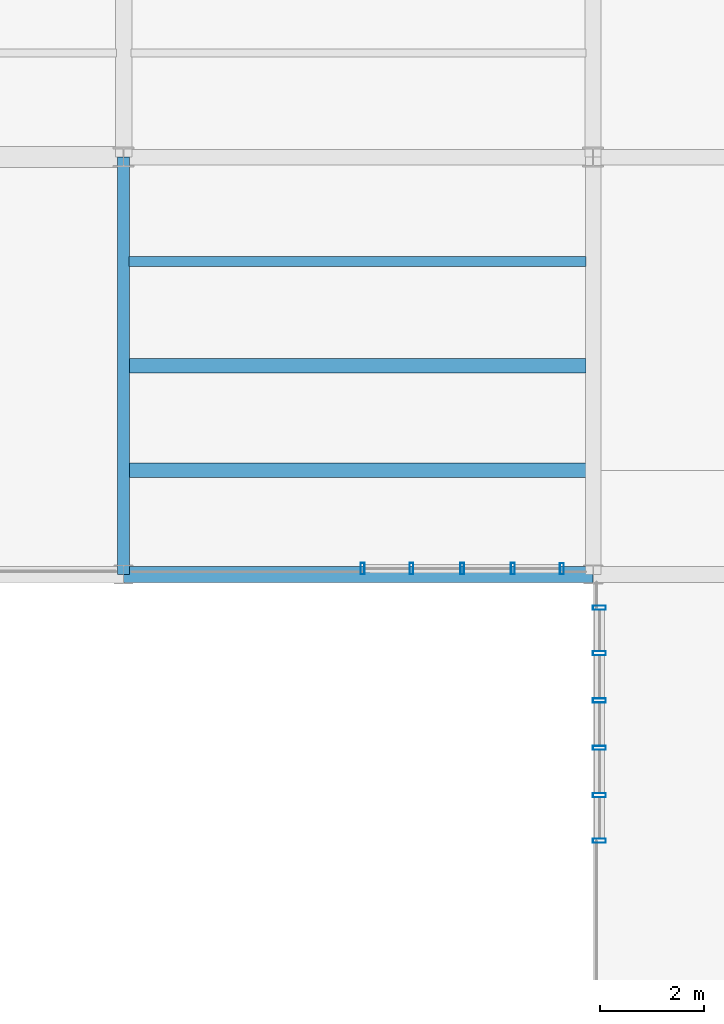
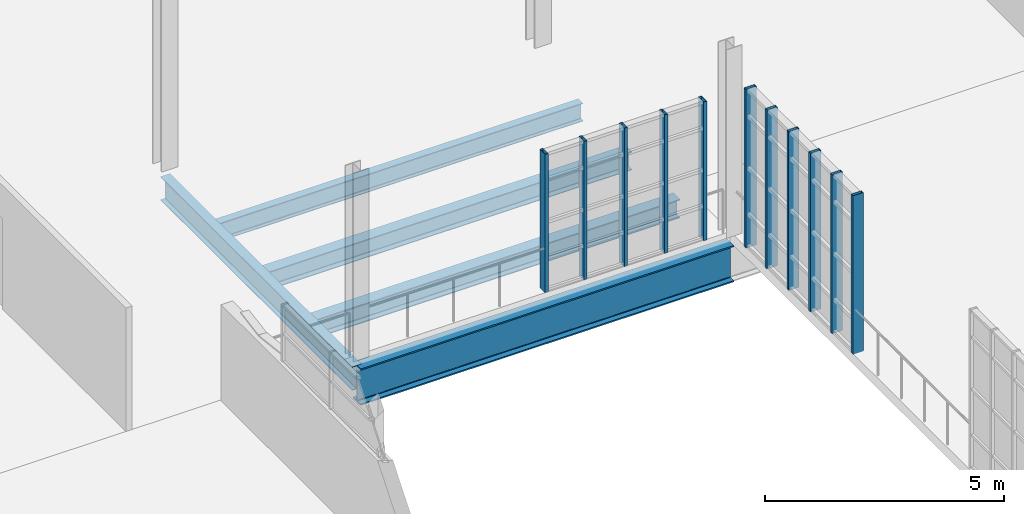
# One storey, part 48 of 118: 11 members, 5 beams, 2 elements without a shape of their own.
"""IFC4 building model written with IfcOpenShell, lengths in metres."""

from ifc_helpers import new_model, si_unit, direction, frame, origin, origin_2d, place, context, subcontext, project, spatial, hollow_rectangle, i_section, extrude, material, layer, layer_set, material_profile, profile_set, type_object, element, aggregate, save


model = new_model("IFC4")

# Units and contexts
model_context = context("Model", 3, precision=1e-05, world=origin(), true_north=direction((0.0, 1.0)))
body_context = subcontext(model_context, "Body", "Model", "MODEL_VIEW")
ifc_project = project(units=[si_unit("LENGTHUNIT", "METRE"), si_unit("AREAUNIT", "SQUARE_METRE"), si_unit("VOLUMEUNIT", "CUBIC_METRE"), si_unit("PLANEANGLEUNIT", "RADIAN"), si_unit("MASSUNIT", "GRAM", prefix="KILO"), si_unit("THERMODYNAMICTEMPERATUREUNIT", "KELVIN"), si_unit("POWERUNIT", "WATT")], contexts=[model_context])

# Site, building, storey
site_placement = place(None, origin())
site = spatial("IfcSite", under=ifc_project, at=site_placement, CompositionType="ELEMENT")
building_placement = place(site_placement, origin())
building = spatial("IfcBuilding", under=site, at=building_placement, Name="Zelmaris Science Centre", CompositionType="ELEMENT")
storey_placement = place(building_placement, frame((0.0, 0.0, 15.60009765625)))
storey = spatial("IfcBuildingStorey", under=building, at=storey_placement, Name="L03", CompositionType="ELEMENT", Elevation=15.60009765625)

# Curtain wall, members
ifc_material_1 = material(Name="Anodised architectural aluminium 6063-T6", Category="aluminium")
ifc_layer_1 = layer(ifc_material_1, 0.199951171875, Name="Anodised architectural aluminium 6063-T6")
ifc_layer_set_1 = layer_set([ifc_layer_1], Name="Anodised architectural aluminium 6063-T6")
curtain_wall_type_1 = type_object("IfcCurtainWallType", Name="Curtain Wall CW-02", PredefinedType="USERDEFINED", material=ifc_layer_set_1)
curtain_wall_1_placement = place(storey_placement, origin())
curtain_wall_1 = element("IfcCurtainWall", 1, at=curtain_wall_1_placement, inside=storey, type_object=curtain_wall_type_1, Name="L03 Unitised curtain wall 334", ObjectType="GLAZED CURTAIN WALL", PredefinedType="USERDEFINED")
ifc_material_profile_1 = material_profile(ifc_material_1, hollow_rectangle(XDim=0.074951171875, YDim=0.219970703125, WallThickness=0.0048828125, at=origin_2d()), Name="ALU-MUL-75X220")
ifc_profile_set_1 = profile_set([ifc_material_profile_1], Name="Anodised architectural aluminium 6063-T6")
member_type_1 = type_object("IfcMemberType", Name="ALU-MUL-75X220", PredefinedType="MULLION", material=ifc_profile_set_1)
member_1_placement = place(storey_placement, frame((98.39990234375, 64.1103515625, -0.01513671875), z_axis=(0.0, 0.0, 1.0), x_axis=(-0.999999640253, 0.000848229915, 0.0)))
member_1 = element("IfcMember", 2, at=member_1_placement, type_object=member_type_1, Name="CW-02 mullion 1", PredefinedType="MULLION", context=body_context, shape_type="SweptSolid", body=[
    extrude(hollow_rectangle(XDim=0.074951171875, YDim=0.219970703125, WallThickness=0.0048828125, at=origin_2d()), origin(), (0.0, 0.0, 1.0), 3.5390625),
])
member_2_placement = place(storey_placement, frame((97.461669921875, 64.111083984375, -0.01513671875), z_axis=(0.0, 0.0, 1.0), x_axis=(-0.999999640253, 0.000848229915, 0.0)))
member_2 = element("IfcMember", 3, at=member_2_placement, type_object=member_type_1, Name="CW-02 mullion 2", PredefinedType="MULLION", context=body_context, shape_type="SweptSolid", body=[
    extrude(hollow_rectangle(XDim=0.074951171875, YDim=0.219970703125, WallThickness=0.0048828125, at=origin_2d()), origin(), (0.0, 0.0, 1.0), 3.5390625),
])
member_3_placement = place(storey_placement, frame((96.489990234375, 64.112060546875, -0.01513671875), z_axis=(0.0, 0.0, 1.0), x_axis=(-0.999999640253, 0.000848229915, 0.0)))
member_3 = element("IfcMember", 4, at=member_3_placement, type_object=member_type_1, Name="CW-02 mullion 3", PredefinedType="MULLION", context=body_context, shape_type="SweptSolid", body=[
    extrude(hollow_rectangle(XDim=0.074951171875, YDim=0.219970703125, WallThickness=0.0048828125, at=origin_2d()), origin(), (0.0, 0.0, 1.0), 3.5390625),
])
member_4_placement = place(storey_placement, frame((95.5185546875, 64.11279296875, -0.01513671875), z_axis=(0.0, 0.0, 1.0), x_axis=(-0.999999640253, 0.000848229915, 0.0)))
member_4 = element("IfcMember", 5, at=member_4_placement, type_object=member_type_1, Name="CW-02 mullion 4", PredefinedType="MULLION", context=body_context, shape_type="SweptSolid", body=[
    extrude(hollow_rectangle(XDim=0.074951171875, YDim=0.219970703125, WallThickness=0.0048828125, at=origin_2d()), origin(), (0.0, 0.0, 1.0), 3.5390625),
])
member_5_placement = place(storey_placement, frame((94.580322265625, 64.113525390625, -0.01513671875), z_axis=(0.0, 0.0, 1.0), x_axis=(-0.999999640253, 0.000848229915, 0.0)))
member_5 = element("IfcMember", 6, at=member_5_placement, type_object=member_type_1, Name="CW-02 mullion 5", PredefinedType="MULLION", context=body_context, shape_type="SweptSolid", body=[
    extrude(hollow_rectangle(XDim=0.074951171875, YDim=0.219970703125, WallThickness=0.0048828125, at=origin_2d()), origin(), (0.0, 0.0, 1.0), 3.5390625),
])
aggregate(curtain_wall_1, [member_1, member_2, member_3, member_4, member_5])

ifc_layer_2 = layer(ifc_material_1, 0.18994140625, Name="Anodised architectural aluminium 6063-T6")
ifc_layer_set_2 = layer_set([ifc_layer_2], Name="Anodised architectural aluminium 6063-T6")
curtain_wall_type_2 = type_object("IfcCurtainWallType", Name="Curtain Wall CW-01", PredefinedType="USERDEFINED", material=ifc_layer_set_2)
curtain_wall_2_placement = place(storey_placement, origin())
curtain_wall_2 = element("IfcCurtainWall", 7, at=curtain_wall_2_placement, inside=storey, type_object=curtain_wall_type_2, Name="L03 Unitised curtain wall 333", ObjectType="GLAZED CURTAIN WALL", PredefinedType="USERDEFINED")
ifc_material_profile_2 = material_profile(ifc_material_1, hollow_rectangle(XDim=0.080078125, YDim=0.25, WallThickness=0.0048828125, at=origin_2d()), Name="ALU-MUL-80X250")
ifc_profile_set_2 = profile_set([ifc_material_profile_2], Name="Anodised architectural aluminium 6063-T6")
member_type_2 = type_object("IfcMemberType", Name="ALU-MUL-80X250", PredefinedType="MULLION", material=ifc_profile_set_2)
member_6_placement = place(storey_placement, frame((99.1201171875, 58.89599609375, -0.01513671875), z_axis=(0.0, 0.0, 1.0), x_axis=(-5.235988e-06, 0.999999999986, 0.0)))
member_6 = element("IfcMember", 8, at=member_6_placement, type_object=member_type_2, Name="CW-01 mullion 1", PredefinedType="MULLION", context=body_context, shape_type="SweptSolid", body=[
    extrude(hollow_rectangle(XDim=0.080078125, YDim=0.25, WallThickness=0.0048828125, at=origin_2d()), origin(), (0.0, 0.0, 1.0), 4.044921875),
])
member_7_placement = place(storey_placement, frame((99.1201171875, 59.76806640625, -0.01513671875), z_axis=(0.0, 0.0, 1.0), x_axis=(-5.235988e-06, 0.999999999986, 0.0)))
member_7 = element("IfcMember", 9, at=member_7_placement, type_object=member_type_2, Name="CW-01 mullion 2", PredefinedType="MULLION", context=body_context, shape_type="SweptSolid", body=[
    extrude(hollow_rectangle(XDim=0.080078125, YDim=0.25, WallThickness=0.0048828125, at=origin_2d()), origin(), (0.0, 0.0, 1.0), 4.044921875),
])
member_8_placement = place(storey_placement, frame((99.1201171875, 60.676025390625, -0.01513671875), z_axis=(0.0, 0.0, 1.0), x_axis=(-5.235988e-06, 0.999999999986, 0.0)))
member_8 = element("IfcMember", 10, at=member_8_placement, type_object=member_type_2, Name="CW-01 mullion 3", PredefinedType="MULLION", context=body_context, shape_type="SweptSolid", body=[
    extrude(hollow_rectangle(XDim=0.080078125, YDim=0.25, WallThickness=0.0048828125, at=origin_2d()), origin(), (0.0, 0.0, 1.0), 4.044921875),
])
member_9_placement = place(storey_placement, frame((99.1201171875, 61.583984375, -0.01513671875), z_axis=(0.0, 0.0, 1.0), x_axis=(-5.235988e-06, 0.999999999986, 0.0)))
member_9 = element("IfcMember", 11, at=member_9_placement, type_object=member_type_2, Name="CW-01 mullion 4", PredefinedType="MULLION", context=body_context, shape_type="SweptSolid", body=[
    extrude(hollow_rectangle(XDim=0.080078125, YDim=0.25, WallThickness=0.0048828125, at=origin_2d()), origin(), (0.0, 0.0, 1.0), 4.044921875),
])
member_10_placement = place(storey_placement, frame((99.1201171875, 62.491943359375, -0.01513671875), z_axis=(0.0, 0.0, 1.0), x_axis=(-5.235988e-06, 0.999999999986, 0.0)))
member_10 = element("IfcMember", 12, at=member_10_placement, type_object=member_type_2, Name="CW-01 mullion 5", PredefinedType="MULLION", context=body_context, shape_type="SweptSolid", body=[
    extrude(hollow_rectangle(XDim=0.080078125, YDim=0.25, WallThickness=0.0048828125, at=origin_2d()), origin(), (0.0, 0.0, 1.0), 4.044921875),
])
member_11_placement = place(storey_placement, frame((99.1201171875, 63.364013671875, -0.01513671875), z_axis=(0.0, 0.0, 1.0), x_axis=(-5.235988e-06, 0.999999999986, 0.0)))
member_11 = element("IfcMember", 13, at=member_11_placement, type_object=member_type_2, Name="CW-01 mullion 6", PredefinedType="MULLION", context=body_context, shape_type="SweptSolid", body=[
    extrude(hollow_rectangle(XDim=0.080078125, YDim=0.25, WallThickness=0.0048828125, at=origin_2d()), origin(), (0.0, 0.0, 1.0), 4.044921875),
])
aggregate(curtain_wall_2, [member_6, member_7, member_8, member_9, member_10, member_11])

# Beams
ifc_material_2 = material(Name="Steel ASTM A992 Grade 50", Category="steel")
ifc_material_profile_3 = material_profile(ifc_material_2, i_section(OverallWidth=0.22900390625, OverallDepth=0.60205078125, WebThickness=0.010498046875, FlangeThickness=0.014892578125, FilletRadius=0.014892578125, at=origin_2d()), Name="W24X68")
ifc_profile_set_3 = profile_set([ifc_material_profile_3], Name="Steel ASTM A992 Grade 50")
beam_type_1 = type_object("IfcBeamType", Name="Beam G-17 W24X68", PredefinedType="BEAM", material=ifc_profile_set_3)
beam_1_placement = place(storey_placement, frame((90.0, 64.0, -0.56103515625), z_axis=(0.0, 1.0, 0.0), x_axis=(-1.0, 0.0, 0.0)))
element("IfcBeam", 14, at=beam_1_placement, inside=storey, type_object=beam_type_1, Name="L03 North-south girder 692", PredefinedType="BEAM", context=body_context, shape_type="SweptSolid", body=[
    extrude(i_section(OverallWidth=0.22900390625, OverallDepth=0.60205078125, WebThickness=0.010498046875, FlangeThickness=0.014892578125, FilletRadius=0.014892578125, at=origin_2d()), origin(), (0.0, 0.0, 1.0), 8.0),
])
ifc_material_profile_4 = material_profile(ifc_material_2, i_section(OverallWidth=0.31005859375, OverallDepth=0.931884765625, WebThickness=0.02099609375, FlangeThickness=0.034423828125, FilletRadius=0.02392578125, at=origin_2d()), Name="W36X210")
ifc_profile_set_4 = profile_set([ifc_material_profile_4], Name="Steel ASTM A992 Grade 50")
beam_type_2 = type_object("IfcBeamType", Name="Beam G-25 W36X210", PredefinedType="BEAM", material=ifc_profile_set_4)
beam_2_placement = place(storey_placement, frame((90.0, 64.0, -0.72607421875), z_axis=(1.0, 0.0, 0.0), x_axis=(0.0, 1.0, 0.0)))
element("IfcBeam", 15, at=beam_2_placement, inside=storey, type_object=beam_type_2, Name="L03 East-west girder 758", PredefinedType="BEAM", context=body_context, shape_type="SweptSolid", body=[
    extrude(i_section(OverallWidth=0.31005859375, OverallDepth=0.931884765625, WebThickness=0.02099609375, FlangeThickness=0.034423828125, FilletRadius=0.02392578125, at=origin_2d()), origin(), (0.0, 0.0, 1.0), 9.0),
])
ifc_material_profile_5 = material_profile(ifc_material_2, i_section(OverallWidth=0.281982421875, OverallDepth=0.471923828125, WebThickness=0.013671875, FlangeThickness=0.022216796875, FilletRadius=0.012939453125, at=origin_2d()), Name="W18X97")
ifc_profile_set_5 = profile_set([ifc_material_profile_5], Name="Steel ASTM A992 Grade 50")
beam_type_3 = type_object("IfcBeamType", Name="Beam J-02 W18X97", PredefinedType="JOIST", material=ifc_profile_set_5)
beam_3_placement = place(storey_placement, frame((90.099609375, 66.0, -0.49609375), z_axis=(1.0, 0.0, 0.0), x_axis=(0.0, 1.0, 0.0)))
element("IfcBeam", 16, at=beam_3_placement, inside=storey, type_object=beam_type_3, Name="L03 Composite floor joist 334", PredefinedType="JOIST", context=body_context, shape_type="SweptSolid", body=[
    extrude(i_section(OverallWidth=0.281982421875, OverallDepth=0.471923828125, WebThickness=0.013671875, FlangeThickness=0.022216796875, FilletRadius=0.012939453125, at=origin_2d()), origin(), (0.0, 0.0, 1.0), 8.765380859375),
])
ifc_material_profile_6 = material_profile(ifc_material_2, i_section(OverallWidth=0.279052734375, OverallDepth=0.4619140625, WebThickness=0.0107421875, FlangeThickness=0.017333984375, FilletRadius=0.012939453125, at=origin_2d()), Name="W18X76")
ifc_profile_set_6 = profile_set([ifc_material_profile_6], Name="Steel ASTM A992 Grade 50")
beam_type_4 = type_object("IfcBeamType", Name="Beam J-03 W18X76", PredefinedType="JOIST", material=ifc_profile_set_6)
beam_4_placement = place(storey_placement, frame((90.099609375, 68.0, -0.4912109375), z_axis=(1.0, 0.0, 0.0), x_axis=(0.0, 1.0, 0.0)))
element("IfcBeam", 17, at=beam_4_placement, inside=storey, type_object=beam_type_4, Name="L03 Composite floor joist 335", PredefinedType="JOIST", context=body_context, shape_type="SweptSolid", body=[
    extrude(i_section(OverallWidth=0.279052734375, OverallDepth=0.4619140625, WebThickness=0.0107421875, FlangeThickness=0.017333984375, FilletRadius=0.012939453125, at=origin_2d()), origin(), (0.0, 0.0, 1.0), 8.765380859375),
])
ifc_material_profile_7 = material_profile(ifc_material_2, i_section(OverallWidth=0.19091796875, OverallDepth=0.4599609375, WebThickness=0.010009765625, FlangeThickness=0.01611328125, FilletRadius=0.012939453125, at=origin_2d()), Name="W18X55")
ifc_profile_set_7 = profile_set([ifc_material_profile_7], Name="Steel ASTM A992 Grade 50")
beam_type_5 = type_object("IfcBeamType", Name="Beam J-04 W18X55", PredefinedType="JOIST", material=ifc_profile_set_7)
beam_5_placement = place(storey_placement, frame((90.099609375, 70.0, -0.489990234375), z_axis=(1.0, 0.0, 0.0), x_axis=(0.0, 1.0, 0.0)))
element("IfcBeam", 18, at=beam_5_placement, inside=storey, type_object=beam_type_5, Name="L03 Composite floor joist 336", PredefinedType="JOIST", context=body_context, shape_type="SweptSolid", body=[
    extrude(i_section(OverallWidth=0.19091796875, OverallDepth=0.4599609375, WebThickness=0.010009765625, FlangeThickness=0.01611328125, FilletRadius=0.012939453125, at=origin_2d()), origin(), (0.0, 0.0, 1.0), 8.765380859375),
])

save(model, "model.ifc")
